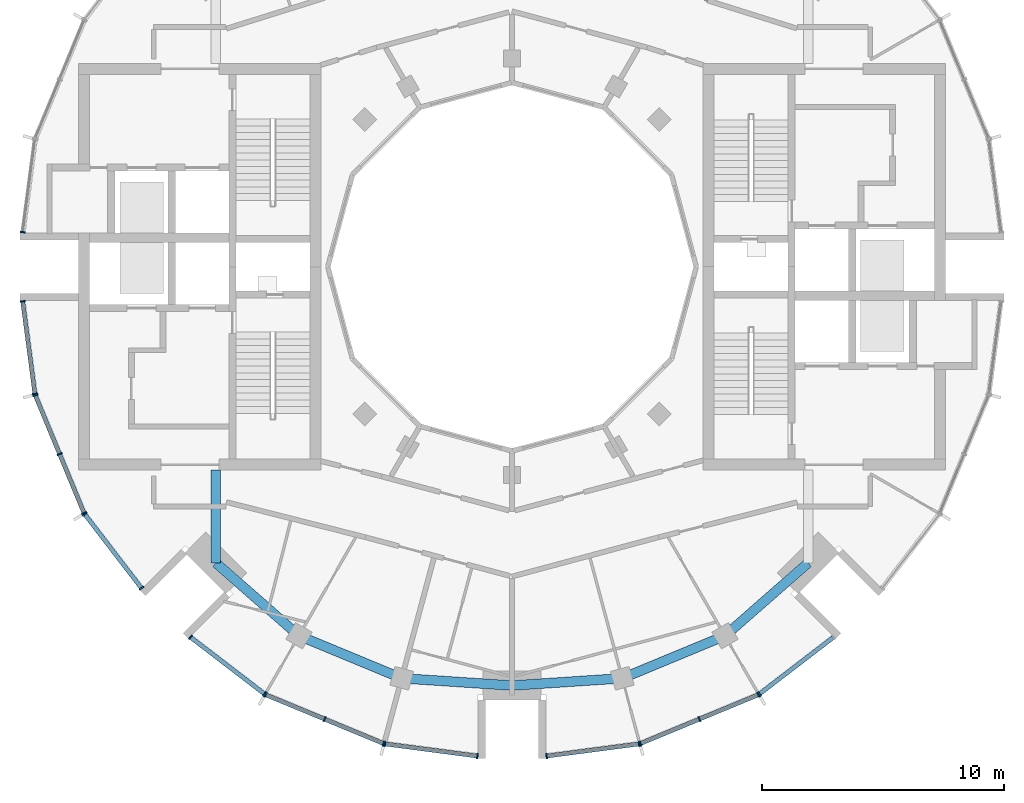
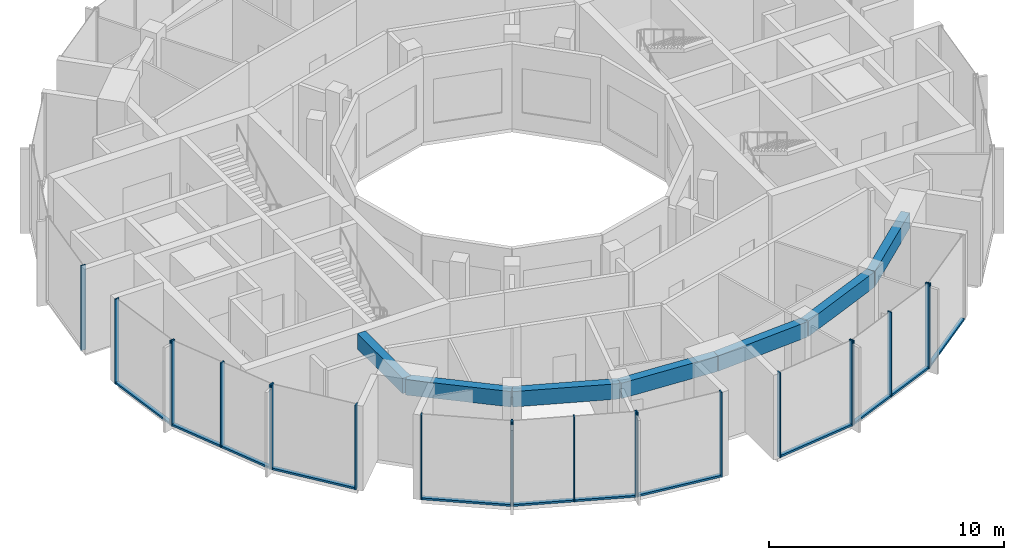
# One storey, part 2 of 13: 33 members, 7 beams, 10 elements without a shape of their own.
"""IFC4 building model written with IfcOpenShell, lengths in metres."""

from ifc_helpers import new_model, si_unit, direction, frame, origin, origin_2d, place, context, subcontext, project, spatial, rectangle, extrude, material, layer, layer_set, material_profile, profile_set, type_object, element, aggregate, save


model = new_model("IFC4")

# Units and contexts
model_context = context("Model", 3, precision=1e-05, world=origin(), true_north=direction((0.0, 1.0)))
body_context = subcontext(model_context, "Body", "Model", "MODEL_VIEW")
ifc_project = project(units=[si_unit("LENGTHUNIT", "METRE"), si_unit("AREAUNIT", "SQUARE_METRE"), si_unit("VOLUMEUNIT", "CUBIC_METRE"), si_unit("PLANEANGLEUNIT", "RADIAN"), si_unit("MASSUNIT", "GRAM", prefix="KILO")], contexts=[model_context])

# Site, building, storey
site_placement = place(None, origin())
site = spatial("IfcSite", under=ifc_project, at=site_placement, CompositionType="ELEMENT")
building_placement = place(site_placement, origin())
building = spatial("IfcBuilding", under=site, at=building_placement, Name="Torre Brocal", CompositionType="ELEMENT")
storey_placement = place(building_placement, frame((0.0, 0.0, 319.300048828125)))
storey = spatial("IfcBuildingStorey", under=building, at=storey_placement, Name="L73", CompositionType="ELEMENT", Elevation=319.300048828125)

# Curtain wall, member
ifc_material_1 = material(Name="Aluminium and glass", Category="aluminium")
ifc_layer = layer(ifc_material_1, 0.199951171875)
ifc_layer_set = layer_set([ifc_layer], Name="Aluminium and glass")
curtain_wall_type = type_object("IfcCurtainWallType", Name="CW-5 CURTAIN WALL 4400 HIGH", PredefinedType="NOTDEFINED", material=ifc_layer_set)
curtain_wall_1_placement = place(storey_placement, origin())
curtain_wall_1 = element("IfcCurtainWall", 1, at=curtain_wall_1_placement, inside=storey, type_object=curtain_wall_type, Name="CW-5 RUN 12", PredefinedType="NOTDEFINED")
ifc_material_2 = material(Name="Aluminium, dark anodised", Category="aluminium")
ifc_material_profile_1 = material_profile(ifc_material_2, rectangle(XDim=0.219970703125, YDim=0.06005859375, at=origin_2d()), Name="CW-5 MULLION 60X220")
ifc_profile_set_1 = profile_set([ifc_material_profile_1], Name="Aluminium, dark anodised")
member_type_1 = type_object("IfcMemberType", Name="CW-5 MULLION 60X220", PredefinedType="MULLION", material=ifc_profile_set_1)
member_1_placement = place(storey_placement, frame((59.7890625, 76.4296875, 0.0), z_axis=(0.0, 0.0, 1.0), x_axis=(0.991444861394, -0.130526192064, 0.0)))
member_1 = element("IfcMember", 2, at=member_1_placement, type_object=member_type_1, Name="CW5-1 mullion 2", PredefinedType="MULLION", context=body_context, shape_type="SweptSolid", body=[
    extrude(rectangle(XDim=0.219970703125, YDim=0.06005859375, at=origin_2d()), origin(), (0.0, 0.0, 1.0), 4.39990234375),
])
aggregate(curtain_wall_1, [member_1])

# Curtain wall, members
curtain_wall_2_placement = place(storey_placement, origin())
curtain_wall_2 = element("IfcCurtainWall", 3, at=curtain_wall_2_placement, inside=storey, type_object=curtain_wall_type, Name="CW-5 RUN 13", PredefinedType="NOTDEFINED")
member_2_placement = place(storey_placement, frame((59.7890625, 73.5703125, 0.0), z_axis=(0.0, 0.0, 1.0), x_axis=(0.991444861394, 0.130526192064, 0.0)))
member_2 = element("IfcMember", 4, at=member_2_placement, type_object=member_type_1, Name="CW5-1 mullion 1", PredefinedType="MULLION", context=body_context, shape_type="SweptSolid", body=[
    extrude(rectangle(XDim=0.219970703125, YDim=0.06005859375, at=origin_2d()), origin(), (0.0, 0.0, 1.0), 4.39990234375),
])
member_3_placement = place(storey_placement, frame((60.2919921875, 69.75, 0.0), z_axis=(0.0, 0.0, 1.0), x_axis=(0.991444861394, 0.130526192064, 0.0)))
member_3 = element("IfcMember", 5, at=member_3_placement, type_object=member_type_1, Name="CW5-1 mullion 2", PredefinedType="MULLION", context=body_context, shape_type="SweptSolid", body=[
    extrude(rectangle(XDim=0.219970703125, YDim=0.06005859375, at=origin_2d()), origin(), (0.0, 0.0, 1.0), 4.39990234375),
])

curtain_wall_3_placement = place(storey_placement, origin())
curtain_wall_3 = element("IfcCurtainWall", 6, at=curtain_wall_3_placement, inside=storey, type_object=curtain_wall_type, Name="CW-5 RUN 14", PredefinedType="NOTDEFINED")
member_4_placement = place(storey_placement, frame((60.307373046875, 69.692626953125, 0.0), z_axis=(0.0, 0.0, 1.0), x_axis=(0.923879532478, 0.382683432446, 0.0)))
member_4 = element("IfcMember", 7, at=member_4_placement, type_object=member_type_1, Name="CW5-1 mullion 1", PredefinedType="MULLION", context=body_context, shape_type="SweptSolid", body=[
    extrude(rectangle(XDim=0.219970703125, YDim=0.06005859375, at=origin_2d()), origin(), (0.0, 0.0, 1.0), 4.39990234375),
])
member_5_placement = place(storey_placement, frame((61.31494140625, 67.26025390625, 0.0), z_axis=(0.0, 0.0, 1.0), x_axis=(0.923879532478, 0.382683432446, 0.0)))
member_5 = element("IfcMember", 8, at=member_5_placement, type_object=member_type_1, Name="CW5-1 mullion 2", PredefinedType="MULLION", context=body_context, shape_type="SweptSolid", body=[
    extrude(rectangle(XDim=0.219970703125, YDim=0.06005859375, at=origin_2d()), origin(), (0.0, 0.0, 1.0), 4.39990234375),
])
member_6_placement = place(storey_placement, frame((62.322265625, 64.828125, 0.0), z_axis=(0.0, 0.0, 1.0), x_axis=(0.923879532478, 0.382683432446, 0.0)))
member_6 = element("IfcMember", 9, at=member_6_placement, type_object=member_type_1, Name="CW5-1 mullion 3", PredefinedType="MULLION", context=body_context, shape_type="SweptSolid", body=[
    extrude(rectangle(XDim=0.219970703125, YDim=0.06005859375, at=origin_2d()), origin(), (0.0, 0.0, 1.0), 4.39990234375),
])

curtain_wall_4_placement = place(storey_placement, origin())
curtain_wall_4 = element("IfcCurtainWall", 10, at=curtain_wall_4_placement, inside=storey, type_object=curtain_wall_type, Name="CW-5 RUN 15", PredefinedType="NOTDEFINED")
member_7_placement = place(storey_placement, frame((62.35205078125, 64.776611328125, 0.0), z_axis=(0.0, 0.0, 1.0), x_axis=(0.793353340376, 0.608761428898, 0.0)))
member_7 = element("IfcMember", 11, at=member_7_placement, type_object=member_type_1, Name="CW5-1 mullion 1", PredefinedType="MULLION", context=body_context, shape_type="SweptSolid", body=[
    extrude(rectangle(XDim=0.219970703125, YDim=0.06005859375, at=origin_2d()), origin(), (0.0, 0.0, 1.0), 4.39990234375),
])
member_8_placement = place(storey_placement, frame((64.69775390625, 61.7197265625, 0.0), z_axis=(0.0, 0.0, 1.0), x_axis=(0.793353340376, 0.608761428898, 0.0)))
member_8 = element("IfcMember", 12, at=member_8_placement, type_object=member_type_1, Name="CW5-1 mullion 2", PredefinedType="MULLION", context=body_context, shape_type="SweptSolid", body=[
    extrude(rectangle(XDim=0.219970703125, YDim=0.06005859375, at=origin_2d()), origin(), (0.0, 0.0, 1.0), 4.39990234375),
])

curtain_wall_5_placement = place(storey_placement, origin())
curtain_wall_5 = element("IfcCurtainWall", 13, at=curtain_wall_5_placement, inside=storey, type_object=curtain_wall_type, Name="CW-5 RUN 16", PredefinedType="NOTDEFINED")
member_9_placement = place(storey_placement, frame((66.7197265625, 59.69775390625, 0.0), z_axis=(0.0, 0.0, 1.0), x_axis=(0.608761428898, 0.793353340376, 0.0)))
member_9 = element("IfcMember", 14, at=member_9_placement, type_object=member_type_1, Name="CW5-1 mullion 1", PredefinedType="MULLION", context=body_context, shape_type="SweptSolid", body=[
    extrude(rectangle(XDim=0.219970703125, YDim=0.06005859375, at=origin_2d()), origin(), (0.0, 0.0, 1.0), 4.39990234375),
])
member_10_placement = place(storey_placement, frame((69.776611328125, 57.35205078125, 0.0), z_axis=(0.0, 0.0, 1.0), x_axis=(0.608761428898, 0.793353340376, 0.0)))
member_10 = element("IfcMember", 15, at=member_10_placement, type_object=member_type_1, Name="CW5-1 mullion 2", PredefinedType="MULLION", context=body_context, shape_type="SweptSolid", body=[
    extrude(rectangle(XDim=0.219970703125, YDim=0.06005859375, at=origin_2d()), origin(), (0.0, 0.0, 1.0), 4.39990234375),
])

curtain_wall_6_placement = place(storey_placement, origin())
curtain_wall_6 = element("IfcCurtainWall", 16, at=curtain_wall_6_placement, inside=storey, type_object=curtain_wall_type, Name="CW-5 RUN 17", PredefinedType="NOTDEFINED")
member_11_placement = place(storey_placement, frame((69.828125, 57.322265625, 0.0), z_axis=(0.0, 0.0, 1.0), x_axis=(0.382683432446, 0.923879532478, 0.0)))
member_11 = element("IfcMember", 17, at=member_11_placement, type_object=member_type_1, Name="CW5-1 mullion 1", PredefinedType="MULLION", context=body_context, shape_type="SweptSolid", body=[
    extrude(rectangle(XDim=0.219970703125, YDim=0.06005859375, at=origin_2d()), origin(), (0.0, 0.0, 1.0), 4.39990234375),
])
member_12_placement = place(storey_placement, frame((72.26025390625, 56.31494140625, 0.0), z_axis=(0.0, 0.0, 1.0), x_axis=(0.382683432446, 0.923879532478, 0.0)))
member_12 = element("IfcMember", 18, at=member_12_placement, type_object=member_type_1, Name="CW5-1 mullion 2", PredefinedType="MULLION", context=body_context, shape_type="SweptSolid", body=[
    extrude(rectangle(XDim=0.219970703125, YDim=0.06005859375, at=origin_2d()), origin(), (0.0, 0.0, 1.0), 4.39990234375),
])
member_13_placement = place(storey_placement, frame((74.692626953125, 55.307373046875, 0.0), z_axis=(0.0, 0.0, 1.0), x_axis=(0.382683432446, 0.923879532478, 0.0)))
member_13 = element("IfcMember", 19, at=member_13_placement, type_object=member_type_1, Name="CW5-1 mullion 3", PredefinedType="MULLION", context=body_context, shape_type="SweptSolid", body=[
    extrude(rectangle(XDim=0.219970703125, YDim=0.06005859375, at=origin_2d()), origin(), (0.0, 0.0, 1.0), 4.39990234375),
])

curtain_wall_7_placement = place(storey_placement, origin())
curtain_wall_7 = element("IfcCurtainWall", 20, at=curtain_wall_7_placement, inside=storey, type_object=curtain_wall_type, Name="CW-5 RUN 18", PredefinedType="NOTDEFINED")
member_14_placement = place(storey_placement, frame((74.75, 55.2919921875, 0.0), z_axis=(0.0, 0.0, 1.0), x_axis=(0.130526192064, 0.991444861394, 0.0)))
member_14 = element("IfcMember", 21, at=member_14_placement, type_object=member_type_1, Name="CW5-1 mullion 1", PredefinedType="MULLION", context=body_context, shape_type="SweptSolid", body=[
    extrude(rectangle(XDim=0.219970703125, YDim=0.06005859375, at=origin_2d()), origin(), (0.0, 0.0, 1.0), 4.39990234375),
])
member_15_placement = place(storey_placement, frame((78.5703125, 54.7890625, 0.0), z_axis=(0.0, 0.0, 1.0), x_axis=(0.130526192064, 0.991444861394, 0.0)))
member_15 = element("IfcMember", 22, at=member_15_placement, type_object=member_type_1, Name="CW5-1 mullion 2", PredefinedType="MULLION", context=body_context, shape_type="SweptSolid", body=[
    extrude(rectangle(XDim=0.219970703125, YDim=0.06005859375, at=origin_2d()), origin(), (0.0, 0.0, 1.0), 4.39990234375),
])

curtain_wall_8_placement = place(storey_placement, origin())
curtain_wall_8 = element("IfcCurtainWall", 23, at=curtain_wall_8_placement, inside=storey, type_object=curtain_wall_type, Name="CW-5 RUN 19", PredefinedType="NOTDEFINED")
member_16_placement = place(storey_placement, frame((81.4296875, 54.7890625, 0.0), z_axis=(0.0, 0.0, 1.0), x_axis=(-0.130526192064, 0.991444861394, 0.0)))
member_16 = element("IfcMember", 24, at=member_16_placement, type_object=member_type_1, Name="CW5-1 mullion 1", PredefinedType="MULLION", context=body_context, shape_type="SweptSolid", body=[
    extrude(rectangle(XDim=0.219970703125, YDim=0.06005859375, at=origin_2d()), origin(), (0.0, 0.0, 1.0), 4.39990234375),
])
member_17_placement = place(storey_placement, frame((85.25, 55.2919921875, 0.0), z_axis=(0.0, 0.0, 1.0), x_axis=(-0.130526192064, 0.991444861394, 0.0)))
member_17 = element("IfcMember", 25, at=member_17_placement, type_object=member_type_1, Name="CW5-1 mullion 2", PredefinedType="MULLION", context=body_context, shape_type="SweptSolid", body=[
    extrude(rectangle(XDim=0.219970703125, YDim=0.06005859375, at=origin_2d()), origin(), (0.0, 0.0, 1.0), 4.39990234375),
])

curtain_wall_9_placement = place(storey_placement, origin())
curtain_wall_9 = element("IfcCurtainWall", 26, at=curtain_wall_9_placement, inside=storey, type_object=curtain_wall_type, Name="CW-5 RUN 20", PredefinedType="NOTDEFINED")
member_18_placement = place(storey_placement, frame((85.307373046875, 55.307373046875, 0.0), z_axis=(0.0, 0.0, 1.0), x_axis=(-0.382683432446, 0.923879532478, 0.0)))
member_18 = element("IfcMember", 27, at=member_18_placement, type_object=member_type_1, Name="CW5-1 mullion 1", PredefinedType="MULLION", context=body_context, shape_type="SweptSolid", body=[
    extrude(rectangle(XDim=0.219970703125, YDim=0.06005859375, at=origin_2d()), origin(), (0.0, 0.0, 1.0), 4.39990234375),
])
member_19_placement = place(storey_placement, frame((87.73974609375, 56.31494140625, 0.0), z_axis=(0.0, 0.0, 1.0), x_axis=(-0.382683432446, 0.923879532478, 0.0)))
member_19 = element("IfcMember", 28, at=member_19_placement, type_object=member_type_1, Name="CW5-1 mullion 2", PredefinedType="MULLION", context=body_context, shape_type="SweptSolid", body=[
    extrude(rectangle(XDim=0.219970703125, YDim=0.06005859375, at=origin_2d()), origin(), (0.0, 0.0, 1.0), 4.39990234375),
])
member_20_placement = place(storey_placement, frame((90.171875, 57.322265625, 0.0), z_axis=(0.0, 0.0, 1.0), x_axis=(-0.382683432446, 0.923879532478, 0.0)))
member_20 = element("IfcMember", 29, at=member_20_placement, type_object=member_type_1, Name="CW5-1 mullion 3", PredefinedType="MULLION", context=body_context, shape_type="SweptSolid", body=[
    extrude(rectangle(XDim=0.219970703125, YDim=0.06005859375, at=origin_2d()), origin(), (0.0, 0.0, 1.0), 4.39990234375),
])

# Curtain wall, member
curtain_wall_10_placement = place(storey_placement, origin())
curtain_wall_10 = element("IfcCurtainWall", 30, at=curtain_wall_10_placement, inside=storey, type_object=curtain_wall_type, Name="CW-5 RUN 21", PredefinedType="NOTDEFINED")
member_21_placement = place(storey_placement, frame((90.223388671875, 57.35205078125, 0.0), z_axis=(0.0, 0.0, 1.0), x_axis=(-0.608761428898, 0.793353340376, 0.0)))
member_21 = element("IfcMember", 31, at=member_21_placement, type_object=member_type_1, Name="CW5-1 mullion 1", PredefinedType="MULLION", context=body_context, shape_type="SweptSolid", body=[
    extrude(rectangle(XDim=0.219970703125, YDim=0.06005859375, at=origin_2d()), origin(), (0.0, 0.0, 1.0), 4.39990234375),
])

# Member
ifc_material_3 = material(Name="Aluminium, dark anodised", Category="aluminium")
ifc_material_profile_2 = material_profile(ifc_material_3, rectangle(XDim=0.179931640625, YDim=0.10009765625, at=origin_2d()), Name="CW-5 TRANSOM 180X100")
ifc_profile_set_2 = profile_set([ifc_material_profile_2], Name="Aluminium, dark anodised")
member_type_2 = type_object("IfcMemberType", Name="CW-5 TRANSOM 180X100", PredefinedType="USERDEFINED", material=ifc_profile_set_2)
member_22_placement = place(storey_placement, frame((59.79296875, 73.54052734375, 0.050048828125), z_axis=(0.130527769268, -0.99144465375, 0.0), x_axis=(0.99144465375, 0.130527769268, 0.0)))
member_22 = element("IfcMember", 32, at=member_22_placement, type_object=member_type_2, Name="CW5-1 transom 1.1", ObjectType="TRANSOM", PredefinedType="USERDEFINED", context=body_context, shape_type="SweptSolid", body=[
    extrude(rectangle(XDim=0.179931640625, YDim=0.10009765625, at=origin_2d()), origin(), (0.0, 0.0, 1.0), 3.793212890625),
])

aggregate(curtain_wall_2, [member_2, member_3, member_22])

member_23_placement = place(storey_placement, frame((60.31884765625, 69.664794921875, 0.050048828125), z_axis=(0.382734542152, -0.923858360488, 0.0), x_axis=(0.923858360488, 0.382734542152, 0.0)))
member_23 = element("IfcMember", 33, at=member_23_placement, type_object=member_type_2, Name="CW5-1 transom 1.1", ObjectType="TRANSOM", PredefinedType="USERDEFINED", context=body_context, shape_type="SweptSolid", body=[
    extrude(rectangle(XDim=0.179931640625, YDim=0.10009765625, at=origin_2d()), origin(), (0.0, 0.0, 1.0), 2.572509765625),
])

member_24_placement = place(storey_placement, frame((61.326416015625, 67.232666015625, 0.050048828125), z_axis=(0.382653538633, -0.923891914334, 0.0), x_axis=(0.923891914334, 0.382653538633, 0.0)))
member_24 = element("IfcMember", 34, at=member_24_placement, type_object=member_type_2, Name="CW5-1 transom 2.1", ObjectType="TRANSOM", PredefinedType="USERDEFINED", context=body_context, shape_type="SweptSolid", body=[
    extrude(rectangle(XDim=0.179931640625, YDim=0.10009765625, at=origin_2d()), origin(), (0.0, 0.0, 1.0), 2.572509765625),
])

aggregate(curtain_wall_3, [member_4, member_5, member_6, member_23, member_24])

member_25_placement = place(storey_placement, frame((62.370361328125, 64.7529296875, 0.050048828125), z_axis=(0.60872740935, -0.793379443335, 0.0), x_axis=(0.793379443335, 0.60872740935, 0.0)))
member_25 = element("IfcMember", 35, at=member_25_placement, type_object=member_type_2, Name="CW5-1 transom 1.1", ObjectType="TRANSOM", PredefinedType="USERDEFINED", context=body_context, shape_type="SweptSolid", body=[
    extrude(rectangle(XDim=0.179931640625, YDim=0.10009765625, at=origin_2d()), origin(), (0.0, 0.0, 1.0), 3.793212890625),
])

aggregate(curtain_wall_4, [member_7, member_8, member_25])

member_26_placement = place(storey_placement, frame((66.743408203125, 59.679443359375, 0.050048828125), z_axis=(0.793379443335, -0.60872740935, 0.0), x_axis=(0.60872740935, 0.793379443335, 0.0)))
member_26 = element("IfcMember", 36, at=member_26_placement, type_object=member_type_2, Name="CW5-1 transom 1.1", ObjectType="TRANSOM", PredefinedType="USERDEFINED", context=body_context, shape_type="SweptSolid", body=[
    extrude(rectangle(XDim=0.179931640625, YDim=0.10009765625, at=origin_2d()), origin(), (0.0, 0.0, 1.0), 3.793212890625),
])

aggregate(curtain_wall_5, [member_9, member_10, member_26])

member_27_placement = place(storey_placement, frame((69.85595703125, 57.310791015625, 0.050048828125), z_axis=(0.923891914334, -0.382653538633, 0.0), x_axis=(0.382653538633, 0.923891914334, 0.0)))
member_27 = element("IfcMember", 37, at=member_27_placement, type_object=member_type_2, Name="CW5-1 transom 1.1", ObjectType="TRANSOM", PredefinedType="USERDEFINED", context=body_context, shape_type="SweptSolid", body=[
    extrude(rectangle(XDim=0.179931640625, YDim=0.10009765625, at=origin_2d()), origin(), (0.0, 0.0, 1.0), 2.572509765625),
])

member_28_placement = place(storey_placement, frame((72.2880859375, 56.303466796875, 0.050048828125), z_axis=(0.923858360488, -0.382734542152, 0.0), x_axis=(0.382734542152, 0.923858360488, 0.0)))
member_28 = element("IfcMember", 38, at=member_28_placement, type_object=member_type_2, Name="CW5-1 transom 2.1", ObjectType="TRANSOM", PredefinedType="USERDEFINED", context=body_context, shape_type="SweptSolid", body=[
    extrude(rectangle(XDim=0.179931640625, YDim=0.10009765625, at=origin_2d()), origin(), (0.0, 0.0, 1.0), 2.572509765625),
])

aggregate(curtain_wall_6, [member_11, member_12, member_13, member_27, member_28])

member_29_placement = place(storey_placement, frame((74.77978515625, 55.2880859375, 0.050048828125), z_axis=(0.99144465375, -0.130527769268, 0.0), x_axis=(0.130527769268, 0.99144465375, 0.0)))
member_29 = element("IfcMember", 39, at=member_29_placement, type_object=member_type_2, Name="CW5-1 transom 1.1", ObjectType="TRANSOM", PredefinedType="USERDEFINED", context=body_context, shape_type="SweptSolid", body=[
    extrude(rectangle(XDim=0.179931640625, YDim=0.10009765625, at=origin_2d()), origin(), (0.0, 0.0, 1.0), 3.793212890625),
])

aggregate(curtain_wall_7, [member_14, member_15, member_29])

member_30_placement = place(storey_placement, frame((81.45947265625, 54.79296875, 0.050048828125), z_axis=(0.99144465375, 0.130527769268, 0.0), x_axis=(-0.130527769268, 0.99144465375, 0.0)))
member_30 = element("IfcMember", 40, at=member_30_placement, type_object=member_type_2, Name="CW5-1 transom 1.1", ObjectType="TRANSOM", PredefinedType="USERDEFINED", context=body_context, shape_type="SweptSolid", body=[
    extrude(rectangle(XDim=0.179931640625, YDim=0.10009765625, at=origin_2d()), origin(), (0.0, 0.0, 1.0), 3.793212890625),
])

aggregate(curtain_wall_8, [member_16, member_17, member_30])

member_31_placement = place(storey_placement, frame((85.335205078125, 55.31884765625, 0.050048828125), z_axis=(0.923858360488, 0.382734542152, 0.0), x_axis=(-0.382734542152, 0.923858360488, 0.0)))
member_31 = element("IfcMember", 41, at=member_31_placement, type_object=member_type_2, Name="CW5-1 transom 1.1", ObjectType="TRANSOM", PredefinedType="USERDEFINED", context=body_context, shape_type="SweptSolid", body=[
    extrude(rectangle(XDim=0.179931640625, YDim=0.10009765625, at=origin_2d()), origin(), (0.0, 0.0, 1.0), 2.572509765625),
])

member_32_placement = place(storey_placement, frame((87.767333984375, 56.326416015625, 0.050048828125), z_axis=(0.923891914334, 0.382653538633, 0.0), x_axis=(-0.382653538633, 0.923891914334, 0.0)))
member_32 = element("IfcMember", 42, at=member_32_placement, type_object=member_type_2, Name="CW5-1 transom 2.1", ObjectType="TRANSOM", PredefinedType="USERDEFINED", context=body_context, shape_type="SweptSolid", body=[
    extrude(rectangle(XDim=0.179931640625, YDim=0.10009765625, at=origin_2d()), origin(), (0.0, 0.0, 1.0), 2.572509765625),
])

aggregate(curtain_wall_9, [member_18, member_19, member_20, member_31, member_32])

member_33_placement = place(storey_placement, frame((90.2470703125, 57.370361328125, 0.050048828125), z_axis=(0.793379443335, 0.60872740935, 0.0), x_axis=(-0.60872740935, 0.793379443335, 0.0)))
member_33 = element("IfcMember", 43, at=member_33_placement, type_object=member_type_2, Name="CW5-1 transom 1.1", ObjectType="TRANSOM", PredefinedType="USERDEFINED", context=body_context, shape_type="SweptSolid", body=[
    extrude(rectangle(XDim=0.179931640625, YDim=0.10009765625, at=origin_2d()), origin(), (0.0, 0.0, 1.0), 3.793212890625),
])

aggregate(curtain_wall_10, [member_21, member_33])

# Beams
ifc_material_4 = material(Name="Concrete C50", Category="concrete")
ifc_material_profile_3 = material_profile(ifc_material_4, rectangle(XDim=0.39990234375, YDim=0.800048828125, at=origin_2d()), Name="RC 400X800")
ifc_profile_set_3 = profile_set([ifc_material_profile_3], Name="Concrete C50")
beam_type = type_object("IfcBeamType", Name="RC SPANDREL BEAM 400X800 C50 TOP 4080", PredefinedType="SPANDREL", material=ifc_profile_set_3)
beam_1_placement = place(storey_placement, frame((67.76708984375, 62.76708984375, 3.679931640625), z_axis=(0.0, 1.0, 0.0), x_axis=(-1.0, 0.0, 0.0)))
element("IfcBeam", 44, at=beam_1_placement, inside=storey, type_object=beam_type, Name="Beam BT-50", PredefinedType="SPANDREL", context=body_context, shape_type="SweptSolid", body=[
    extrude(rectangle(XDim=0.39990234375, YDim=0.800048828125, at=origin_2d()), origin(), (0.0, 0.0, 1.0), 3.8330078125),
])
beam_2_placement = place(storey_placement, frame((67.76708984375, 62.76708984375, 3.679931640625), z_axis=(0.752003258433, -0.659159388393, 0.0), x_axis=(0.659159388393, 0.752003258433, 0.0)))
element("IfcBeam", 45, at=beam_2_placement, inside=storey, type_object=beam_type, Name="Beam BT-50", PredefinedType="SPANDREL", context=body_context, shape_type="SweptSolid", body=[
    extrude(rectangle(XDim=0.39990234375, YDim=0.800048828125, at=origin_2d()), origin(), (0.0, 0.0, 1.0), 4.56494140625),
])
beam_3_placement = place(storey_placement, frame((71.199951171875, 59.758056640625, 3.679931640625), z_axis=(0.923878240166, -0.382686552348, 0.0), x_axis=(0.382686552348, 0.923878240166, 0.0)))
element("IfcBeam", 46, at=beam_3_placement, inside=storey, type_object=beam_type, Name="Beam BT-50", PredefinedType="SPANDREL", context=body_context, shape_type="SweptSolid", body=[
    extrude(rectangle(XDim=0.39990234375, YDim=0.800048828125, at=origin_2d()), origin(), (0.0, 0.0, 1.0), 4.5947265625),
])
for number, where, z_axis, x_axis, name in (
    (47, (75.44482421875, 57.999755859375, 3.679931640625), (0.9978411205, -0.06567418244, 0.0), (0.06567418244, 0.9978411205, 0.0), "Beam BT-50"),
    (48, (80.0, 57.699951171875, 3.679931640625), (0.9978411205, 0.06567418244, 0.0), (-0.06567418244, 0.9978411205, 0.0), "Beam BT-50"),
):
    element("IfcBeam", number, at=place(storey_placement, frame(where, z_axis=z_axis, x_axis=x_axis)), inside=storey, type_object=beam_type, Name=name, PredefinedType="SPANDREL", context=body_context, shape_type="SweptSolid", body=[
        extrude(rectangle(XDim=0.39990234375, YDim=0.800048828125, at=origin_2d()), origin(), (0.0, 0.0, 1.0), 4.56494140625),
    ])
beam_4_placement = place(storey_placement, frame((84.55517578125, 57.999755859375, 3.679931640625), z_axis=(0.923878240166, 0.382686552348, 0.0), x_axis=(-0.382686552348, 0.923878240166, 0.0)))
element("IfcBeam", 49, at=beam_4_placement, inside=storey, type_object=beam_type, Name="Beam BT-50", PredefinedType="SPANDREL", context=body_context, shape_type="SweptSolid", body=[
    extrude(rectangle(XDim=0.39990234375, YDim=0.800048828125, at=origin_2d()), origin(), (0.0, 0.0, 1.0), 4.5947265625),
])
beam_5_placement = place(storey_placement, frame((88.800048828125, 59.758056640625, 3.679931640625), z_axis=(0.752003258433, 0.659159388393, 0.0), x_axis=(-0.659159388393, 0.752003258433, 0.0)))
element("IfcBeam", 50, at=beam_5_placement, inside=storey, type_object=beam_type, Name="Beam BT-50", PredefinedType="SPANDREL", context=body_context, shape_type="SweptSolid", body=[
    extrude(rectangle(XDim=0.39990234375, YDim=0.800048828125, at=origin_2d()), origin(), (0.0, 0.0, 1.0), 4.56494140625),
])

save(model, "model.ifc")
